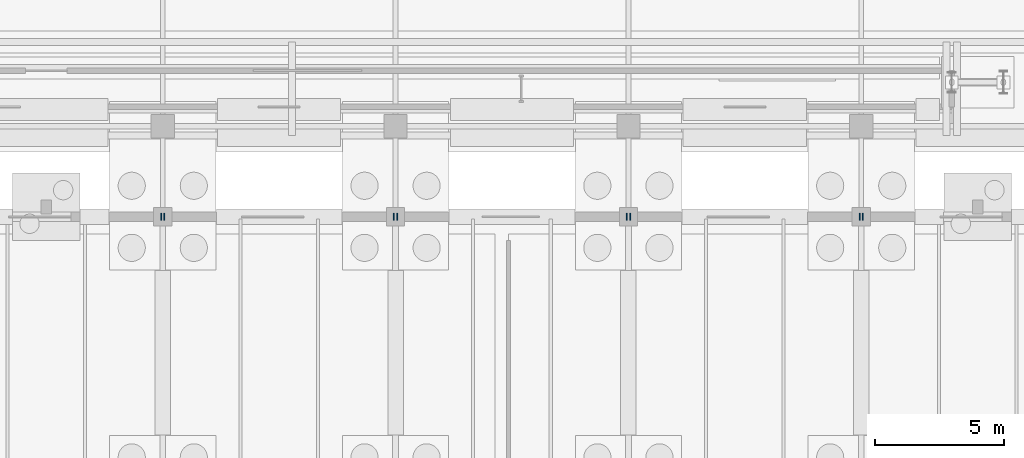
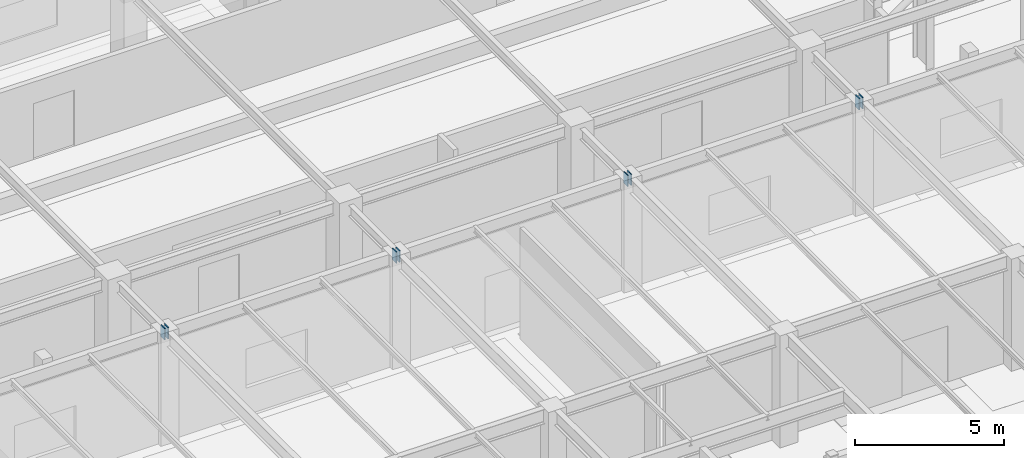
# One storey, part 138 of 160: 8 discrete accessories.
"""IFC4 building model written with IfcOpenShell, lengths in metres."""

from ifc_helpers import new_model, si_unit, direction, frame, origin, origin_2d, place, context, subcontext, project, spatial, rectangle, extrude, material, element, save


model = new_model("IFC4")

# Units and contexts
model_context = context("Model", 3, precision=1e-05, world=origin(), true_north=direction((0.0, 1.0)))
body_context = subcontext(model_context, "Body", "Model", "MODEL_VIEW")
ifc_project = project(units=[si_unit("LENGTHUNIT", "METRE"), si_unit("AREAUNIT", "SQUARE_METRE"), si_unit("VOLUMEUNIT", "CUBIC_METRE"), si_unit("PLANEANGLEUNIT", "RADIAN"), si_unit("MASSUNIT", "GRAM", prefix="KILO")], contexts=[model_context])

# Site, building, storey
site_placement = place(None, origin())
site = spatial("IfcSite", under=ifc_project, at=site_placement, CompositionType="ELEMENT")
building_placement = place(site_placement, origin())
building = spatial("IfcBuilding", under=site, at=building_placement, Name="Marlcrest Central Station", CompositionType="ELEMENT")
storey_placement = place(building_placement, origin())
storey = spatial("IfcBuildingStorey", under=building, at=storey_placement, Name="L00", CompositionType="ELEMENT", Elevation=0.0)

# Discrete accessories
ifc_material = material(Name="Steel S355", Category="steel")
for number, where, z_axis, x_axis, name in (
    (1, (161.9150390625, 33.0, 4.3798828125), (1.0, 0.0, 0.0), (0.0, 1.0, 0.0), "endcap-bm-SP-02-L00-00775-e"),
    (2, (162.045166015625, 33.0, 4.3798828125), (1.0, 0.0, 0.0), (0.0, 1.0, 0.0), "endcap-bm-SP-02-L00-00776-s"),
    (3, (170.9150390625, 33.0, 4.3798828125), (1.0, 0.0, 0.0), (0.0, 1.0, 0.0), "endcap-bm-SP-02-L00-00776-e"),
    (4, (171.045166015625, 33.0, 4.3798828125), (1.0, 0.0, 0.0), (0.0, 1.0, 0.0), "endcap-bm-SP-02-L00-00777-s"),
    (5, (179.9150390625, 33.0, 4.3798828125), (1.0, 0.0, 0.0), (0.0, 1.0, 0.0), "endcap-bm-SP-02-L00-00777-e"),
    (6, (180.045166015625, 33.0, 4.3798828125), (1.0, 0.0, 0.0), (0.0, 1.0, 0.0), "endcap-bm-SP-02-L00-00778-s"),
    (7, (188.9150390625, 33.0, 4.3798828125), (1.0, 0.0, 0.0), (0.0, 1.0, 0.0), "endcap-bm-SP-02-L00-00778-e"),
    (8, (189.045166015625, 33.0, 4.3798828125), (1.0, 0.0, 0.0), (0.0, 1.0, 0.0), "endcap-bm-SP-02-L00-00779-s"),
):
    element("IfcDiscreteAccessory", number, at=place(storey_placement, frame(where, z_axis=z_axis, x_axis=x_axis)), inside=storey, material=ifc_material, Name=name, ObjectType="END_CAP_PLATE", PredefinedType="BRACKET", context=body_context, shape_type="SweptSolid", body=[
        extrude(rectangle(XDim=0.26611328125, YDim=0.466064453125, at=origin_2d()), origin(), (0.0, 0.0, 1.0), 0.0400390625),
    ])

save(model, "model.ifc")
